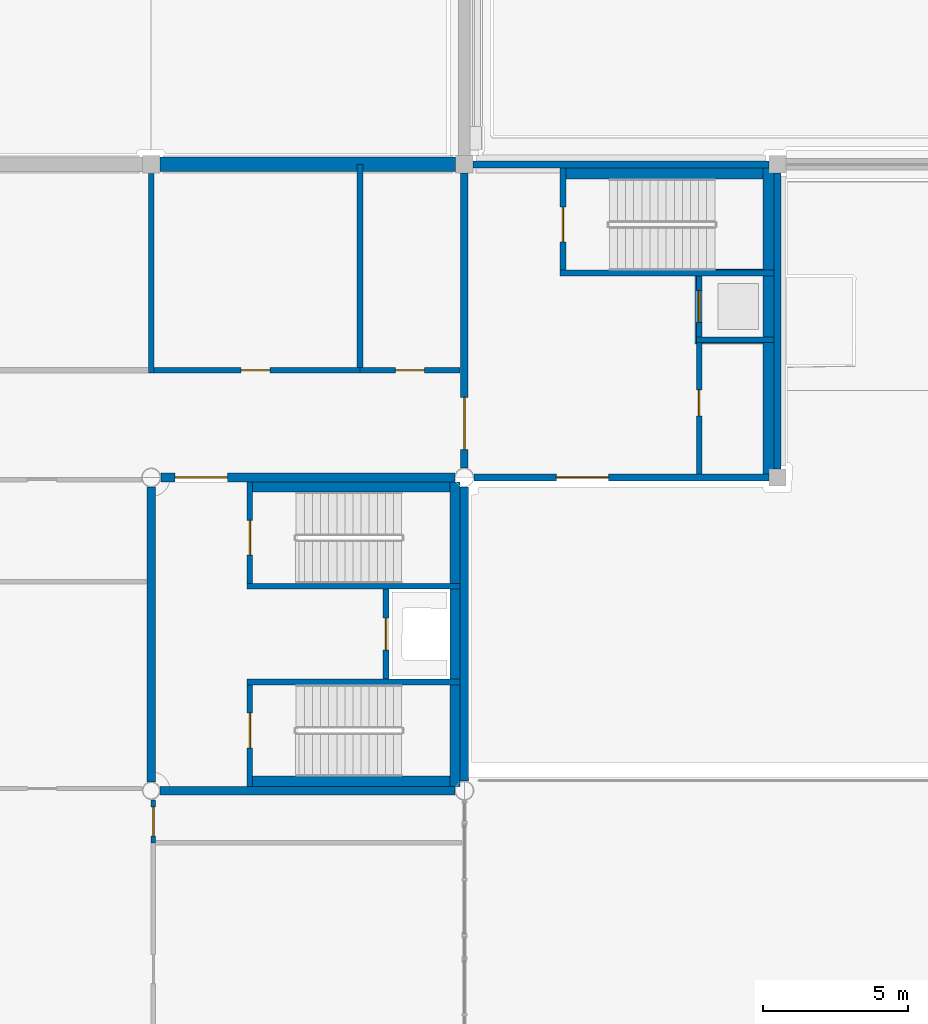
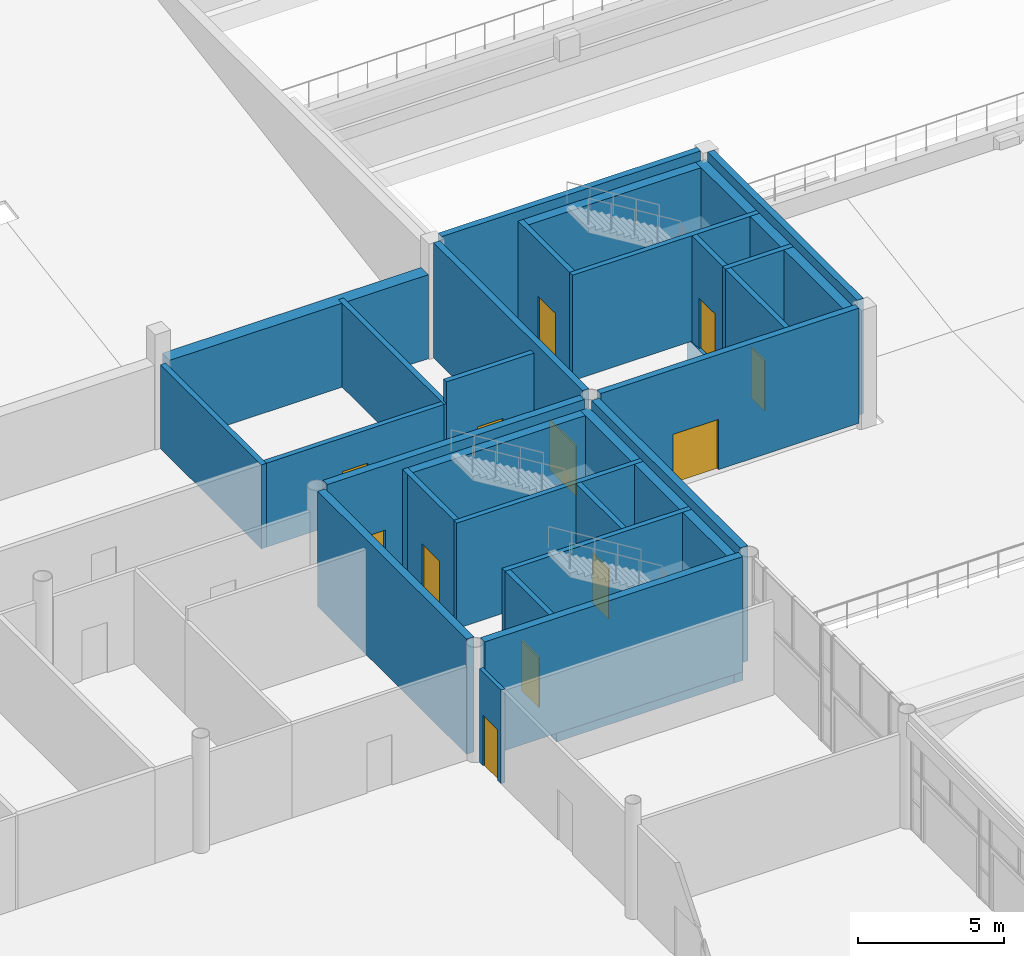
# One storey, part 52 of 91: 34 walls, 12 doors, 12 openings.
"""IFC4 building model written with IfcOpenShell, lengths in metres."""

from ifc_helpers import new_model, si_unit, direction, frame, frame_2d, origin, place, context, subcontext, project, spatial, polyline, rectangle, outline, extrude, material, layer, layer_set, type_object, element, fill, save


model = new_model("IFC4")

# Units and contexts
model_context = context("Model", 3, precision=1e-05, world=origin(), true_north=direction((0.0, 1.0)))
body_context = subcontext(model_context, "Body", "Model", "MODEL_VIEW")
ifc_project = project(units=[si_unit("LENGTHUNIT", "METRE"), si_unit("AREAUNIT", "SQUARE_METRE"), si_unit("VOLUMEUNIT", "CUBIC_METRE"), si_unit("PLANEANGLEUNIT", "RADIAN"), si_unit("MASSUNIT", "GRAM", prefix="KILO")], contexts=[model_context])

# Site, building, storey
site_placement = place(None, origin())
site = spatial("IfcSite", under=ifc_project, at=site_placement, CompositionType="ELEMENT")
building_placement = place(site_placement, origin())
building = spatial("IfcBuilding", under=site, at=building_placement, Name="Magnolia Steps Interchange", CompositionType="ELEMENT")
storey_placement = place(building_placement, origin())
storey = spatial("IfcBuildingStorey", under=building, at=storey_placement, Name="L00", CompositionType="ELEMENT", Elevation=0.0)

# Wall
ifc_material_1 = material(Name="Concrete C40", Category="concrete")
ifc_layer_1 = layer(ifc_material_1, 0.5)
ifc_layer_set_1 = layer_set([ifc_layer_1], Name="Concrete C40 plinth retaining wall 500")
wall_type_1 = type_object("IfcWallType", Name="Concrete C40 plinth retaining wall 500", PredefinedType="SOLIDWALL", material=ifc_layer_set_1)
wall_1_placement = place(storey_placement, frame((107.5, 96.39990234375, 0.0), z_axis=(0.0, 0.0, 1.0), x_axis=(1.0, 0.0, 0.0)))
element("IfcWall", 1, at=wall_1_placement, inside=storey, type_object=wall_type_1, Name="Service wing north retaining wall", PredefinedType="SOLIDWALL", context=body_context, shape_type="SweptSolid", body=[
    extrude(rectangle(XDim=10.199951171875, YDim=0.5, at=frame_2d((5.10009765625, 0.0))), origin(), (0.0, 0.0, 1.0), 3.5),
])

# Wall, opening, door
ifc_material_2 = material(Name="Concrete C35", Category="concrete")
ifc_layer_2 = layer(ifc_material_2, 0.199951171875)
ifc_layer_set_2 = layer_set([ifc_layer_2], Name="Core enclosure wall 200")
wall_type_2 = type_object("IfcWallType", Name="Core enclosure wall 200", PredefinedType="SOLIDWALL", material=ifc_layer_set_2)
wall_2_placement = place(storey_placement, frame((110.60009765625, 85.449951171875, 0.0), z_axis=(0.0, 0.0, 1.0), x_axis=(0.0, -1.0, 0.0)))
wall_2 = element("IfcWall", 2, at=wall_2_placement, inside=storey, type_object=wall_type_2, Name="L00 HC2 enclosure wall", PredefinedType="SOLIDWALL", context=body_context, shape_type="SweptSolid", body=[
    extrude(rectangle(XDim=3.5, YDim=0.199951171875, at=frame_2d((1.75, 0.0))), origin(), (0.0, 0.0, 1.0), 4.39990234375),
])
opening_1_placement = place(wall_2_placement, frame((1.324951171875, 0.0, 0.0)))
opening_1 = element("IfcOpeningElement", 3, at=opening_1_placement, cuts=wall_2, Name="Opening D-HC2-L00-1", PredefinedType="OPENING", context=body_context, shape_type="SweptSolid", body=[
    extrude(rectangle(XDim=1.199951171875, YDim=2.10009765625, at=frame_2d((0.60009765625, 1.050048828125))), frame((0.0, 0.10986328125, 0.0), z_axis=(0.0, -1.0, 0.0), x_axis=(1.0, 0.0, 0.0)), (0.0, 0.0, 1.0), 0.219970703125),
])
ifc_material_3 = material(Name="Painted steel", Category="steel")
door_type_1 = type_object("IfcDoorType", Name="Stair fire door 1200x2100", OperationType="NOTDEFINED", PredefinedType="DOOR", material=ifc_material_3)
door_1_placement = place(opening_1_placement, frame((1.199951171875, 0.0, 0.0), z_axis=(0.0, 0.0, 1.0), x_axis=(-1.0, 0.0, 0.0)))
door_1 = element("IfcDoor", 4, at=door_1_placement, inside=storey, type_object=door_type_1, Name="Stair door ST3 L00", OperationType="SINGLE_SWING_LEFT", OverallHeight=2.10009765625, OverallWidth=1.199951171875, PredefinedType="DOOR", context=body_context, shape_type="SweptSolid", body=[
    extrude(rectangle(XDim=1.199951171875, YDim=2.10009765625, at=frame_2d((0.60009765625, 1.050048828125))), frame((0.0, 0.02490234375, 0.0), z_axis=(0.0, -1.0, 0.0), x_axis=(1.0, 0.0, 0.0)), (0.0, 0.0, 1.0), 0.050048828125),
])
fill(opening_1, door_1)

# Wall
wall_3_placement = place(storey_placement, frame((110.5, 81.85009765625, 0.0), z_axis=(0.0, 0.0, 1.0), x_axis=(1.0, 0.0, 0.0)))
element("IfcWall", 5, at=wall_3_placement, inside=storey, type_object=wall_type_2, Name="L00 HC2 enclosure wall", PredefinedType="SOLIDWALL", context=body_context, shape_type="SweptSolid", body=[
    extrude(rectangle(XDim=7.35009765625, YDim=0.199951171875, at=frame_2d((3.675048828125, 0.0))), origin(), (0.0, 0.0, 1.0), 4.39990234375),
])

# Wall, opening, door
wall_4_placement = place(storey_placement, frame((115.300048828125, 81.75, 0.0), z_axis=(0.0, 0.0, 1.0), x_axis=(0.0, -1.0, 0.0)))
wall_4 = element("IfcWall", 6, at=wall_4_placement, inside=storey, type_object=wall_type_2, Name="L00 HC2 enclosure wall", PredefinedType="SOLIDWALL", context=body_context, shape_type="SweptSolid", body=[
    extrude(rectangle(XDim=3.10009765625, YDim=0.199951171875, at=frame_2d((1.550048828125, 0.0))), origin(), (0.0, 0.0, 1.0), 4.39990234375),
])
opening_2_placement = place(wall_4_placement, frame((1.0, 0.0, 0.0)))
opening_2 = element("IfcOpeningElement", 7, at=opening_2_placement, cuts=wall_4, Name="Opening LD", PredefinedType="OPENING", context=body_context, shape_type="SweptSolid", body=[
    extrude(rectangle(XDim=1.10009765625, YDim=2.10009765625, at=frame_2d((0.550048828125, 1.050048828125))), frame((0.0, 0.10986328125, 0.0), z_axis=(0.0, -1.0, 0.0), x_axis=(1.0, 0.0, 0.0)), (0.0, 0.0, 1.0), 0.219970703125),
])
ifc_material_4 = material(Name="Stainless steel grade 304", Category="steel")
door_type_2 = type_object("IfcDoorType", Name="Lift landing door 1100x2100", OperationType="DOUBLE_DOOR_SLIDING", PredefinedType="DOOR", material=ifc_material_4)
door_2_placement = place(opening_2_placement, frame((1.10009765625, 0.0, 0.0), z_axis=(0.0, 0.0, 1.0), x_axis=(-1.0, 0.0, 0.0)))
door_2 = element("IfcDoor", 8, at=door_2_placement, inside=storey, type_object=door_type_2, Name="Lift landing door LF2 L00", OperationType="DOUBLE_DOOR_SLIDING", OverallHeight=2.10009765625, OverallWidth=1.10009765625, PredefinedType="DOOR", context=body_context, shape_type="SweptSolid", body=[
    extrude(rectangle(XDim=1.10009765625, YDim=2.10009765625, at=frame_2d((0.550048828125, 1.050048828125))), frame((0.0, 0.02490234375, 0.0), z_axis=(0.0, -1.0, 0.0), x_axis=(1.0, 0.0, 0.0)), (0.0, 0.0, 1.0), 0.050048828125),
])
fill(opening_2, door_2)

# Wall
wall_5_placement = place(storey_placement, frame((110.5, 78.550048828125, 0.0), z_axis=(0.0, 0.0, 1.0), x_axis=(1.0, 0.0, 0.0)))
element("IfcWall", 9, at=wall_5_placement, inside=storey, type_object=wall_type_2, Name="L00 HC2 enclosure wall", PredefinedType="SOLIDWALL", context=body_context, shape_type="SweptSolid", body=[
    extrude(rectangle(XDim=7.35009765625, YDim=0.199951171875, at=frame_2d((3.675048828125, 0.0))), origin(), (0.0, 0.0, 1.0), 4.39990234375),
])

# Wall, opening, door
wall_6_placement = place(storey_placement, frame((110.60009765625, 78.449951171875, 0.0), z_axis=(0.0, 0.0, 1.0), x_axis=(0.0, -1.0, 0.0)))
wall_6 = element("IfcWall", 10, at=wall_6_placement, inside=storey, type_object=wall_type_2, Name="L00 HC2 enclosure wall", PredefinedType="SOLIDWALL", context=body_context, shape_type="SweptSolid", body=[
    extrude(rectangle(XDim=3.5, YDim=0.199951171875, at=frame_2d((1.75, 0.0))), origin(), (0.0, 0.0, 1.0), 4.39990234375),
])
opening_3_placement = place(wall_6_placement, frame((0.97509765625, 0.0, 0.0)))
opening_3 = element("IfcOpeningElement", 11, at=opening_3_placement, cuts=wall_6, Name="Opening D-HC2-L00-2", PredefinedType="OPENING", context=body_context, shape_type="SweptSolid", body=[
    extrude(rectangle(XDim=1.199951171875, YDim=2.10009765625, at=frame_2d((0.60009765625, 1.050048828125))), frame((0.0, 0.10986328125, 0.0), z_axis=(0.0, -1.0, 0.0), x_axis=(1.0, 0.0, 0.0)), (0.0, 0.0, 1.0), 0.219970703125),
])
door_3_placement = place(opening_3_placement, frame((1.199951171875, 0.0, 0.0), z_axis=(0.0, 0.0, 1.0), x_axis=(-1.0, 0.0, 0.0)))
door_3 = element("IfcDoor", 12, at=door_3_placement, inside=storey, type_object=door_type_1, Name="Stair door ST4 L00", OperationType="SINGLE_SWING_RIGHT", OverallHeight=2.10009765625, OverallWidth=1.199951171875, PredefinedType="DOOR", context=body_context, shape_type="SweptSolid", body=[
    extrude(rectangle(XDim=1.199951171875, YDim=2.10009765625, at=frame_2d((0.60009765625, 1.050048828125))), frame((0.0, 0.02490234375, 0.0), z_axis=(0.0, -1.0, 0.0), x_axis=(1.0, 0.0, 0.0)), (0.0, 0.0, 1.0), 0.050048828125),
])
fill(opening_3, door_3)

wall_7_placement = place(storey_placement, frame((121.39990234375, 96.27490234375, 0.0), z_axis=(0.0, 0.0, 1.0), x_axis=(0.0, -1.0, 0.0)))
wall_7 = element("IfcWall", 13, at=wall_7_placement, inside=storey, type_object=wall_type_2, Name="L00 WC-E enclosure wall", PredefinedType="SOLIDWALL", context=body_context, shape_type="SweptSolid", body=[
    extrude(rectangle(XDim=3.52490234375, YDim=0.199951171875, at=frame_2d((1.762451171875, 0.0))), origin(), (0.0, 0.0, 1.0), 4.39990234375),
])
opening_4_placement = place(wall_7_placement, frame((1.35009765625, 0.0, 0.0)))
opening_4 = element("IfcOpeningElement", 14, at=opening_4_placement, cuts=wall_7, Name="Opening D-WC-E-L00-1", PredefinedType="OPENING", context=body_context, shape_type="SweptSolid", body=[
    extrude(rectangle(XDim=1.199951171875, YDim=2.10009765625, at=frame_2d((0.60009765625, 1.050048828125))), frame((0.0, 0.10986328125, 0.0), z_axis=(0.0, -1.0, 0.0), x_axis=(1.0, 0.0, 0.0)), (0.0, 0.0, 1.0), 0.219970703125),
])
door_4_placement = place(opening_4_placement, frame((1.199951171875, 0.0, 0.0), z_axis=(0.0, 0.0, 1.0), x_axis=(-1.0, 0.0, 0.0)))
door_4 = element("IfcDoor", 15, at=door_4_placement, inside=storey, type_object=door_type_1, Name="Stair door ST27 L00", OperationType="SINGLE_SWING_LEFT", OverallHeight=2.10009765625, OverallWidth=1.199951171875, PredefinedType="DOOR", context=body_context, shape_type="SweptSolid", body=[
    extrude(rectangle(XDim=1.199951171875, YDim=2.10009765625, at=frame_2d((0.60009765625, 1.050048828125))), frame((0.0, 0.02490234375, 0.0), z_axis=(0.0, -1.0, 0.0), x_axis=(1.0, 0.0, 0.0)), (0.0, 0.0, 1.0), 0.050048828125),
])
fill(opening_4, door_4)

# Wall
wall_8_placement = place(storey_placement, frame((121.300048828125, 92.64990234375, 0.0), z_axis=(0.0, 0.0, 1.0), x_axis=(1.0, 0.0, 0.0)))
element("IfcWall", 16, at=wall_8_placement, inside=storey, type_object=wall_type_2, Name="L00 WC-E enclosure wall", PredefinedType="SOLIDWALL", context=body_context, shape_type="SweptSolid", body=[
    extrude(rectangle(XDim=7.375, YDim=0.199951171875, at=frame_2d((3.6875, 0.0))), origin(), (0.0, 0.0, 1.0), 4.39990234375),
])

# Wall, opening, door
wall_9_placement = place(storey_placement, frame((126.10009765625, 92.550048828125, 0.0), z_axis=(0.0, 0.0, 1.0), x_axis=(0.0, -1.0, 0.0)))
wall_9 = element("IfcWall", 17, at=wall_9_placement, inside=storey, type_object=wall_type_2, Name="L00 WC-E enclosure wall", PredefinedType="SOLIDWALL", context=body_context, shape_type="SweptSolid", body=[
    extrude(rectangle(XDim=2.10009765625, YDim=0.199951171875, at=frame_2d((1.050048828125, 0.0))), origin(), (0.0, 0.0, 1.0), 4.39990234375),
])
opening_5_placement = place(wall_9_placement, frame((0.5, 0.0, 0.0)))
opening_5 = element("IfcOpeningElement", 18, at=opening_5_placement, cuts=wall_9, Name="Opening LD", PredefinedType="OPENING", context=body_context, shape_type="SweptSolid", body=[
    extrude(rectangle(XDim=1.10009765625, YDim=2.10009765625, at=frame_2d((0.550048828125, 1.050048828125))), frame((0.0, 0.10986328125, 0.0), z_axis=(0.0, -1.0, 0.0), x_axis=(1.0, 0.0, 0.0)), (0.0, 0.0, 1.0), 0.219970703125),
])
door_5_placement = place(opening_5_placement, frame((1.10009765625, 0.0, 0.0), z_axis=(0.0, 0.0, 1.0), x_axis=(-1.0, 0.0, 0.0)))
door_5 = element("IfcDoor", 19, at=door_5_placement, inside=storey, type_object=door_type_2, Name="Lift landing door LF14 L00", OperationType="DOUBLE_DOOR_SLIDING", OverallHeight=2.10009765625, OverallWidth=1.10009765625, PredefinedType="DOOR", context=body_context, shape_type="SweptSolid", body=[
    extrude(rectangle(XDim=1.10009765625, YDim=2.10009765625, at=frame_2d((0.550048828125, 1.050048828125))), frame((0.0, 0.02490234375, 0.0), z_axis=(0.0, -1.0, 0.0), x_axis=(1.0, 0.0, 0.0)), (0.0, 0.0, 1.0), 0.050048828125),
])
fill(opening_5, door_5)

# Wall
wall_10_placement = place(storey_placement, frame((126.0, 90.35009765625, 0.0), z_axis=(0.0, 0.0, 1.0), x_axis=(1.0, 0.0, 0.0)))
element("IfcWall", 20, at=wall_10_placement, inside=storey, type_object=wall_type_2, Name="L00 WC-E enclosure wall", PredefinedType="SOLIDWALL", context=body_context, shape_type="SweptSolid", body=[
    extrude(rectangle(XDim=2.675048828125, YDim=0.199951171875, at=frame_2d((1.33740234375, 0.0))), origin(), (0.0, 0.0, 1.0), 4.39990234375),
])

# Wall, opening, door
wall_11_placement = place(storey_placement, frame((126.10009765625, 90.25, 0.0), z_axis=(0.0, 0.0, 1.0), x_axis=(0.0, -1.0, 0.0)))
wall_11 = element("IfcWall", 21, at=wall_11_placement, inside=storey, type_object=wall_type_2, Name="L00 WC-E enclosure wall", PredefinedType="SOLIDWALL", context=body_context, shape_type="SweptSolid", body=[
    extrude(rectangle(XDim=4.52490234375, YDim=0.199951171875, at=frame_2d((2.262451171875, 0.0))), origin(), (0.0, 0.0, 1.0), 4.39990234375),
])
opening_6_placement = place(wall_11_placement, frame((1.625, 0.0, 0.0)))
opening_6 = element("IfcOpeningElement", 22, at=opening_6_placement, cuts=wall_11, Name="Opening D-WC-E-L00-2", PredefinedType="OPENING", context=body_context, shape_type="SweptSolid", body=[
    extrude(rectangle(XDim=0.89990234375, YDim=2.10009765625, at=frame_2d((0.449951171875, 1.050048828125))), frame((0.0, 0.10986328125, 0.0), z_axis=(0.0, -1.0, 0.0), x_axis=(1.0, 0.0, 0.0)), (0.0, 0.0, 1.0), 0.219970703125),
])
ifc_material_5 = material(Name="Painted steel", Category="steel")
door_type_3 = type_object("IfcDoorType", Name="Riser door 900x2100", OperationType="NOTDEFINED", PredefinedType="DOOR", material=ifc_material_5)
door_6_placement = place(opening_6_placement, frame((0.89990234375, 0.0, 0.0), z_axis=(0.0, 0.0, 1.0), x_axis=(-1.0, 0.0, 0.0)))
door_6 = element("IfcDoor", 23, at=door_6_placement, inside=storey, type_object=door_type_3, Name="Riser door WC-E L00", OperationType="SINGLE_SWING_RIGHT", OverallHeight=2.10009765625, OverallWidth=0.89990234375, PredefinedType="DOOR", context=body_context, shape_type="SweptSolid", body=[
    extrude(rectangle(XDim=0.89990234375, YDim=2.10009765625, at=frame_2d((0.449951171875, 1.050048828125))), frame((0.0, 0.02490234375, 0.0), z_axis=(0.0, -1.0, 0.0), x_axis=(1.0, 0.0, 0.0)), (0.0, 0.0, 1.0), 0.050048828125),
])
fill(opening_6, door_6)

# Walls
ifc_material_6 = material(Name="Concrete C35", Category="concrete")
ifc_layer_3 = layer(ifc_material_6, 0.35009765625)
ifc_layer_set_3 = layer_set([ifc_layer_3], Name="Core lining wall 350")
wall_type_3 = type_object("IfcWallType", Name="Core lining wall 350", PredefinedType="SOLIDWALL", material=ifc_layer_set_3)
wall_12_placement = place(storey_placement, frame((110.5, 85.27490234375, -0.60009765625), z_axis=(0.0, 0.0, 1.0), x_axis=(1.0, 0.0, 0.0)))
element("IfcWall", 24, at=wall_12_placement, inside=storey, type_object=wall_type_3, Name="L00 HC2 stair lining wall", PredefinedType="SOLIDWALL", context=body_context, shape_type="SweptSolid", body=[
    extrude(rectangle(XDim=7.35009765625, YDim=0.35009765625, at=frame_2d((3.675048828125, 0.0))), origin(), (0.0, 0.0, 1.0), 5.0),
])
wall_13_placement = place(storey_placement, frame((117.675048828125, 85.449951171875, -0.60009765625), z_axis=(0.0, 0.0, 1.0), x_axis=(0.0, -1.0, 0.0)))
element("IfcWall", 25, at=wall_13_placement, inside=storey, type_object=wall_type_3, Name="L00 HC2 stair lining wall", PredefinedType="SOLIDWALL", context=body_context, shape_type="SweptSolid", body=[
    extrude(rectangle(XDim=3.5, YDim=0.35009765625, at=frame_2d((1.75, 0.0))), origin(), (0.0, 0.0, 1.0), 5.0),
])
wall_14_placement = place(storey_placement, frame((110.5, 75.125, -0.60009765625), z_axis=(0.0, 0.0, 1.0), x_axis=(1.0, 0.0, 0.0)))
element("IfcWall", 26, at=wall_14_placement, inside=storey, type_object=wall_type_3, Name="L00 HC2 stair lining wall", PredefinedType="SOLIDWALL", context=body_context, shape_type="SweptSolid", body=[
    extrude(rectangle(XDim=7.35009765625, YDim=0.35009765625, at=frame_2d((3.675048828125, 0.0))), origin(), (0.0, 0.0, 1.0), 5.0),
])
wall_15_placement = place(storey_placement, frame((117.675048828125, 78.449951171875, -0.60009765625), z_axis=(0.0, 0.0, 1.0), x_axis=(0.0, -1.0, 0.0)))
element("IfcWall", 27, at=wall_15_placement, inside=storey, type_object=wall_type_3, Name="L00 HC2 stair lining wall", PredefinedType="SOLIDWALL", context=body_context, shape_type="SweptSolid", body=[
    extrude(rectangle(XDim=3.5, YDim=0.35009765625, at=frame_2d((1.75, 0.0))), origin(), (0.0, 0.0, 1.0), 5.0),
])
wall_16_placement = place(storey_placement, frame((117.675048828125, 81.75, -0.60009765625), z_axis=(0.0, 0.0, 1.0), x_axis=(0.0, -1.0, 0.0)))
element("IfcWall", 28, at=wall_16_placement, inside=storey, type_object=wall_type_3, Name="L00 HC2 stair lining wall", PredefinedType="SOLIDWALL", context=body_context, shape_type="SweptSolid", body=[
    extrude(rectangle(XDim=3.10009765625, YDim=0.35009765625, at=frame_2d((1.550048828125, 0.0))), origin(), (0.0, 0.0, 1.0), 5.0),
])
ifc_material_7 = material(Name="Concrete C35", Category="concrete")
ifc_layer_4 = layer(ifc_material_7, 0.375)
ifc_layer_set_4 = layer_set([ifc_layer_4], Name="Core lining wall 375")
wall_type_4 = type_object("IfcWallType", Name="Core lining wall 375", PredefinedType="SOLIDWALL", material=ifc_layer_set_4)
wall_17_placement = place(storey_placement, frame((121.300048828125, 96.08740234375, 0.0), z_axis=(0.0, 0.0, 1.0), x_axis=(1.0, 0.0, 0.0)))
element("IfcWall", 29, at=wall_17_placement, inside=storey, type_object=wall_type_4, Name="L00 WC-E stair lining wall", PredefinedType="SOLIDWALL", context=body_context, shape_type="SweptSolid", body=[
    extrude(rectangle(XDim=7.375, YDim=0.375, at=frame_2d((3.6875, 0.0))), origin(), (0.0, 0.0, 1.0), 4.39990234375),
])
wall_18_placement = place(storey_placement, frame((128.487548828125, 96.27490234375, 0.0), z_axis=(0.0, 0.0, 1.0), x_axis=(0.0, -1.0, 0.0)))
element("IfcWall", 30, at=wall_18_placement, inside=storey, type_object=wall_type_4, Name="L00 WC-E stair lining wall", PredefinedType="SOLIDWALL", context=body_context, shape_type="SweptSolid", body=[
    extrude(rectangle(XDim=3.52490234375, YDim=0.375, at=frame_2d((1.762451171875, 0.0))), origin(), (0.0, 0.0, 1.0), 4.39990234375),
])
wall_19_placement = place(storey_placement, frame((128.487548828125, 92.550048828125, 0.0), z_axis=(0.0, 0.0, 1.0), x_axis=(0.0, -1.0, 0.0)))
element("IfcWall", 31, at=wall_19_placement, inside=storey, type_object=wall_type_4, Name="L00 WC-E stair lining wall", PredefinedType="SOLIDWALL", context=body_context, shape_type="SweptSolid", body=[
    extrude(rectangle(XDim=2.10009765625, YDim=0.375, at=frame_2d((1.050048828125, 0.0))), origin(), (0.0, 0.0, 1.0), 4.39990234375),
])
wall_20_placement = place(storey_placement, frame((128.487548828125, 90.25, 0.0), z_axis=(0.0, 0.0, 1.0), x_axis=(0.0, -1.0, 0.0)))
element("IfcWall", 32, at=wall_20_placement, inside=storey, type_object=wall_type_4, Name="L00 WC-E stair lining wall", PredefinedType="SOLIDWALL", context=body_context, shape_type="SweptSolid", body=[
    extrude(rectangle(XDim=4.52490234375, YDim=0.375, at=frame_2d((2.262451171875, 0.0))), origin(), (0.0, 0.0, 1.0), 4.39990234375),
])

# Wall, opening, door
ifc_material_8 = material(Name="Concrete C40", Category="concrete")
ifc_layer_5 = layer(ifc_material_8, 0.25)
ifc_layer_set_5 = layer_set([ifc_layer_5], Name="Core wall 250")
wall_type_5 = type_object("IfcWallType", Name="Core wall 250", PredefinedType="SOLIDWALL", material=ifc_layer_set_5)
wall_21_placement = place(storey_placement, frame((118.330078125, 85.60009765625, 0.0), z_axis=(0.0, 0.0, 1.0), x_axis=(1.0, 0.0, 0.0)))
wall_21 = element("IfcWall", 33, at=wall_21_placement, inside=storey, type_object=wall_type_5, Name="Core wall WC-E", PredefinedType="SOLIDWALL", context=body_context, shape_type="SweptSolid", body=[
    extrude(rectangle(XDim=10.169921875, YDim=0.25, at=frame_2d((5.0849609375, 0.0))), origin(), (0.0, 0.0, 1.0), 4.800048828125),
])
opening_7_placement = place(wall_21_placement, frame((2.844970703125, 0.0, 0.0)))
opening_7 = element("IfcOpeningElement", 34, at=opening_7_placement, cuts=wall_21, Name="Opening D-WC-E-L00-4", PredefinedType="OPENING", context=body_context, shape_type="SweptSolid", body=[
    extrude(rectangle(XDim=1.800048828125, YDim=2.10009765625, at=frame_2d((0.89990234375, 1.050048828125))), frame((0.0, 0.135009765625, 0.0), z_axis=(0.0, -1.0, 0.0), x_axis=(1.0, 0.0, 0.0)), (0.0, 0.0, 1.0), 0.27001953125),
])
ifc_material_9 = material(Name="Timber and glass", Category="wood")
door_type_4 = type_object("IfcDoorType", Name="Core entrance door pair 1800x2100", OperationType="DOUBLE_DOOR_DOUBLE_SWING", PredefinedType="DOOR", material=ifc_material_9)
door_7_placement = place(opening_7_placement, frame((1.800048828125, 0.0, 0.0), z_axis=(0.0, 0.0, 1.0), x_axis=(-1.0, 0.0, 0.0)))
door_7 = element("IfcDoor", 35, at=door_7_placement, inside=storey, type_object=door_type_4, Name="Core exit door WC-E L00", OperationType="DOUBLE_DOOR_DOUBLE_SWING", OverallHeight=2.10009765625, OverallWidth=1.800048828125, PredefinedType="DOOR", context=body_context, shape_type="SweptSolid", body=[
    extrude(rectangle(XDim=1.800048828125, YDim=2.10009765625, at=frame_2d((0.89990234375, 1.050048828125))), frame((0.0, 0.02490234375, 0.0), z_axis=(0.0, -1.0, 0.0), x_axis=(1.0, 0.0, 0.0)), (0.0, 0.0, 1.0), 0.050048828125),
])
fill(opening_7, door_7)

# Walls
wall_22_placement = place(storey_placement, frame((128.800048828125, 85.89990234375, 0.0), z_axis=(0.0, 0.0, 1.0), x_axis=(0.0, 1.0, 0.0)))
element("IfcWall", 36, at=wall_22_placement, inside=storey, type_object=wall_type_5, Name="Core wall WC-E", PredefinedType="SOLIDWALL", context=body_context, shape_type="SweptSolid", body=[
    extrude(rectangle(XDim=10.2001953125, YDim=0.25, at=frame_2d((5.10009765625, 0.0))), origin(), (0.0, 0.0, 1.0), 4.800048828125),
])
wall_23_placement = place(storey_placement, frame((128.5, 96.39990234375, 0.0), z_axis=(0.0, 0.0, 1.0), x_axis=(-1.0, 0.0, 0.0)))
element("IfcWall", 37, at=wall_23_placement, inside=storey, type_object=wall_type_5, Name="Core wall WC-E", PredefinedType="SOLIDWALL", context=body_context, shape_type="SweptSolid", body=[
    extrude(rectangle(XDim=10.199951171875, YDim=0.25, at=frame_2d((5.10009765625, 0.0))), origin(), (0.0, 0.0, 1.0), 4.800048828125),
])

# Wall, opening, door
wall_24_placement = place(storey_placement, frame((118.0, 96.10009765625, 0.0), z_axis=(0.0, 0.0, 1.0), x_axis=(0.0, -1.0, 0.0)))
wall_24 = element("IfcWall", 38, at=wall_24_placement, inside=storey, type_object=wall_type_5, Name="Core wall WC-E", PredefinedType="SOLIDWALL", context=body_context, shape_type="SweptSolid", body=[
    extrude(rectangle(XDim=10.170166015625, YDim=0.25, at=frame_2d((5.0849609375, 0.0))), origin(), (0.0, 0.0, 1.0), 4.800048828125),
])
opening_8_placement = place(wall_24_placement, frame((7.737060546875, 0.0, 0.0)))
opening_8 = element("IfcOpeningElement", 39, at=opening_8_placement, cuts=wall_24, Name="Opening D-WC-E-L00-3", PredefinedType="OPENING", context=body_context, shape_type="SweptSolid", body=[
    extrude(rectangle(XDim=1.800048828125, YDim=2.10009765625, at=frame_2d((0.89990234375, 1.050048828125))), frame((0.0, 0.135009765625, 0.0), z_axis=(0.0, -1.0, 0.0), x_axis=(1.0, 0.0, 0.0)), (0.0, 0.0, 1.0), 0.27001953125),
])
door_8_placement = place(opening_8_placement, frame((1.800048828125, 0.0, 0.0), z_axis=(0.0, 0.0, 1.0), x_axis=(-1.0, 0.0, 0.0)))
door_8 = element("IfcDoor", 40, at=door_8_placement, inside=storey, type_object=door_type_4, Name="Core entrance door WC-E L00", OperationType="DOUBLE_DOOR_DOUBLE_SWING", OverallHeight=2.10009765625, OverallWidth=1.800048828125, PredefinedType="DOOR", context=body_context, shape_type="SweptSolid", body=[
    extrude(rectangle(XDim=1.800048828125, YDim=2.10009765625, at=frame_2d((0.89990234375, 1.050048828125))), frame((0.0, 0.02490234375, 0.0), z_axis=(0.0, -1.0, 0.0), x_axis=(1.0, 0.0, 0.0)), (0.0, 0.0, 1.0), 0.050048828125),
])
fill(opening_8, door_8)

# Walls
ifc_material_10 = material(Name="Concrete C40", Category="concrete")
ifc_layer_6 = layer(ifc_material_10, 0.300048828125)
ifc_layer_set_6 = layer_set([ifc_layer_6], Name="Core wall 300")
wall_type_6 = type_object("IfcWallType", Name="Core wall 300", PredefinedType="SOLIDWALL", material=ifc_layer_set_6)
wall_25_placement = place(storey_placement, frame((107.5048828125, 74.800048828125, 0.0), z_axis=(0.0, 0.0, 1.0), x_axis=(1.0, 0.0, 0.0)))
element("IfcWall", 41, at=wall_25_placement, inside=storey, type_object=wall_type_6, Name="Core wall HC2", PredefinedType="SOLIDWALL", context=body_context, shape_type="SweptSolid", body=[
    extrude(rectangle(XDim=10.1650390625, YDim=0.300048828125, at=frame_2d((5.08251953125, 0.0))), origin(), (0.0, 0.0, 1.0), 4.800048828125),
])
wall_26_placement = place(storey_placement, frame((118.0, 75.1298828125, 0.0), z_axis=(0.0, 0.0, 1.0), x_axis=(0.0, 1.0, 0.0)))
element("IfcWall", 42, at=wall_26_placement, inside=storey, type_object=wall_type_6, Name="Core wall HC2", PredefinedType="SOLIDWALL", context=body_context, shape_type="SweptSolid", body=[
    extrude(rectangle(XDim=10.14013671875, YDim=0.300048828125, at=frame_2d((5.070068359375, 0.0))), origin(), (0.0, 0.0, 1.0), 4.800048828125),
])

# Wall, opening, door
wall_27_placement = place(storey_placement, frame((117.669921875, 85.60009765625, 0.0), z_axis=(0.0, 0.0, 1.0), x_axis=(-1.0, 0.0, 0.0)))
wall_27 = element("IfcWall", 43, at=wall_27_placement, inside=storey, type_object=wall_type_6, Name="Core wall HC2", PredefinedType="SOLIDWALL", context=body_context, shape_type="SweptSolid", body=[
    extrude(rectangle(XDim=10.139892578125, YDim=0.300048828125, at=frame_2d((5.06982421875, 0.0))), origin(), (0.0, 0.0, 1.0), 4.800048828125),
])
opening_9_placement = place(wall_27_placement, frame((7.844970703125, 0.0, 0.0)))
opening_9 = element("IfcOpeningElement", 44, at=opening_9_placement, cuts=wall_27, Name="Opening D-HC2-L00-3", PredefinedType="OPENING", context=body_context, shape_type="SweptSolid", body=[
    extrude(rectangle(XDim=1.800048828125, YDim=2.10009765625, at=frame_2d((0.89990234375, 1.050048828125))), frame((0.0, 0.159912109375, 0.0), z_axis=(0.0, -1.0, 0.0), x_axis=(1.0, 0.0, 0.0)), (0.0, 0.0, 1.0), 0.320068359375),
])
door_9_placement = place(opening_9_placement, frame((1.800048828125, 0.0, 0.0), z_axis=(0.0, 0.0, 1.0), x_axis=(-1.0, 0.0, 0.0)))
door_9 = element("IfcDoor", 45, at=door_9_placement, inside=storey, type_object=door_type_4, Name="Core entrance door HC2 L00", OperationType="DOUBLE_DOOR_DOUBLE_SWING", OverallHeight=2.10009765625, OverallWidth=1.800048828125, PredefinedType="DOOR", context=body_context, shape_type="SweptSolid", body=[
    extrude(rectangle(XDim=1.800048828125, YDim=2.10009765625, at=frame_2d((0.89990234375, 1.050048828125))), frame((0.0, 0.02490234375, 0.0), z_axis=(0.0, -1.0, 0.0), x_axis=(1.0, 0.0, 0.0)), (0.0, 0.0, 1.0), 0.050048828125),
])
fill(opening_9, door_9)

# Wall
wall_28_placement = place(storey_placement, frame((107.199951171875, 85.27001953125, 0.0), z_axis=(0.0, 0.0, 1.0), x_axis=(0.0, -1.0, 0.0)))
element("IfcWall", 46, at=wall_28_placement, inside=storey, type_object=wall_type_6, Name="Core wall HC2", PredefinedType="SOLIDWALL", context=body_context, shape_type="SweptSolid", body=[
    extrude(rectangle(XDim=10.1650390625, YDim=0.300048828125, at=frame_2d((5.08251953125, 0.0))), origin(), (0.0, 0.0, 1.0), 4.800048828125),
])

# Wall, opening, door
ifc_material_11 = material(Name="Fair-faced blockwork", Category="masonry")
ifc_layer_7 = layer(ifc_material_11, 0.199951171875)
ifc_layer_set_7 = layer_set([ifc_layer_7], Name="Fire partition wall 200")
wall_type_7 = type_object("IfcWallType", Name="Fire partition wall 200", PredefinedType="PARTITIONING", material=ifc_layer_set_7)
wall_29_placement = place(storey_placement, frame((114.39990234375, 89.300048828125, 0.0), z_axis=(0.0, 0.0, 1.0), x_axis=(1.0, 0.0, 0.0)))
wall_29 = element("IfcWall", 47, at=wall_29_placement, inside=storey, type_object=wall_type_7, Name="L00 partition 6", PredefinedType="PARTITIONING", context=body_context, shape_type="SweptSolid", body=[
    extrude(rectangle(XDim=3.445068359375, YDim=0.199951171875, at=frame_2d((1.72265625, 0.0))), origin(), (0.0, 0.0, 1.0), 4.39990234375),
])
opening_10_placement = place(wall_29_placement, frame((1.222412109375, 0.0, 0.0)))
opening_10 = element("IfcOpeningElement", 48, at=opening_10_placement, cuts=wall_29, Name="Opening D-L00-7", PredefinedType="OPENING", context=body_context, shape_type="SweptSolid", body=[
    extrude(rectangle(XDim=1.0, YDim=2.10009765625, at=frame_2d((0.5, 1.050048828125))), frame((0.0, 0.10986328125, 0.0), z_axis=(0.0, -1.0, 0.0), x_axis=(1.0, 0.0, 0.0)), (0.0, 0.0, 1.0), 0.219970703125),
])
ifc_material_12 = material(Name="Painted steel", Category="steel")
door_type_5 = type_object("IfcDoorType", Name="Plant room door 1000x2100", OperationType="NOTDEFINED", PredefinedType="DOOR", material=ifc_material_12)
door_10_placement = place(opening_10_placement, origin())
door_10 = element("IfcDoor", 49, at=door_10_placement, inside=storey, type_object=door_type_5, Name="Waste Store door", OperationType="SINGLE_SWING_LEFT", OverallHeight=2.10009765625, OverallWidth=1.0, PredefinedType="DOOR", context=body_context, shape_type="SweptSolid", body=[
    extrude(rectangle(XDim=1.0, YDim=2.10009765625, at=frame_2d((0.5, 1.050048828125))), frame((0.0, 0.02490234375, 0.0), z_axis=(0.0, -1.0, 0.0), x_axis=(1.0, 0.0, 0.0)), (0.0, 0.0, 1.0), 0.050048828125),
])
fill(opening_10, door_10)

wall_30_placement = place(storey_placement, frame((107.199951171875, 89.300048828125, 0.0), z_axis=(0.0, 0.0, 1.0), x_axis=(1.0, 0.0, 0.0)))
wall_30 = element("IfcWall", 50, at=wall_30_placement, inside=storey, type_object=wall_type_7, Name="L00 partition 12", PredefinedType="PARTITIONING", context=body_context, shape_type="SweptSolid", body=[
    extrude(rectangle(XDim=7.199951171875, YDim=0.199951171875, at=frame_2d((3.60009765625, 0.0))), origin(), (0.0, 0.0, 1.0), 3.5),
])
opening_11_placement = place(wall_30_placement, frame((3.10009765625, 0.0, 0.0)))
opening_11 = element("IfcOpeningElement", 51, at=opening_11_placement, cuts=wall_30, Name="Opening D-L00-6", PredefinedType="OPENING", context=body_context, shape_type="SweptSolid", body=[
    extrude(rectangle(XDim=1.0, YDim=2.10009765625, at=frame_2d((0.5, 1.050048828125))), frame((0.0, 0.10986328125, 0.0), z_axis=(0.0, -1.0, 0.0), x_axis=(1.0, 0.0, 0.0)), (0.0, 0.0, 1.0), 0.219970703125),
])
door_11_placement = place(opening_11_placement, origin())
door_11 = element("IfcDoor", 52, at=door_11_placement, inside=storey, type_object=door_type_5, Name="Cleaners' Store door", OperationType="SINGLE_SWING_RIGHT", OverallHeight=2.10009765625, OverallWidth=1.0, PredefinedType="DOOR", context=body_context, shape_type="SweptSolid", body=[
    extrude(rectangle(XDim=1.0, YDim=2.10009765625, at=frame_2d((0.5, 1.050048828125))), frame((0.0, 0.02490234375, 0.0), z_axis=(0.0, -1.0, 0.0), x_axis=(1.0, 0.0, 0.0)), (0.0, 0.0, 1.0), 0.050048828125),
])
fill(opening_11, door_11)

# Walls
wall_31_placement = place(storey_placement, frame((107.199951171875, 89.199951171875, 0.0), z_axis=(0.0, 0.0, 1.0), x_axis=(0.0, 1.0, 0.0)))
element("IfcWall", 53, at=wall_31_placement, inside=storey, type_object=wall_type_7, Name="L00 partition 18", PredefinedType="PARTITIONING", context=body_context, shape_type="SweptSolid", body=[
    extrude(rectangle(XDim=6.880126953125, YDim=0.199951171875, at=frame_2d((3.43994140625, 0.0))), origin(), (0.0, 0.0, 1.0), 3.5),
])
wall_32_placement = place(storey_placement, frame((114.39990234375, 89.199951171875, 0.0), z_axis=(0.0, 0.0, 1.0), x_axis=(0.0, 1.0, 0.0)))
element("IfcWall", 54, at=wall_32_placement, inside=storey, type_object=wall_type_7, Name="L00 partition 19", PredefinedType="PARTITIONING", context=body_context, shape_type="SweptSolid", body=[
    extrude(rectangle(XDim=7.199951171875, YDim=0.199951171875, at=frame_2d((3.60009765625, 0.0))), origin(), (0.0, 0.0, 1.0), 3.5),
])
ifc_material_13 = material(Name="Concrete C40", Category="concrete")
ifc_layer_8 = layer(ifc_material_13, 0.25)
ifc_layer_set_8 = layer_set([ifc_layer_8], Name="Lift pit wall 250")
wall_type_8 = type_object("IfcWallType", Name="Lift pit wall 250", PredefinedType="SOLIDWALL", material=ifc_layer_set_8)
wall_33_placement = place(storey_placement, frame((0.0, 0.0, -1.39990234375)))
element("IfcWall", 55, at=wall_33_placement, inside=storey, type_object=wall_type_8, Name="Lift pit wall WC-E", PredefinedType="SOLIDWALL", context=body_context, shape_type="SweptSolid", body=[
    extrude(outline(polyline([(125.949951171875, 92.800048828125), (125.949951171875, 90.199951171875), (128.550048828125, 90.199951171875), (128.550048828125, 92.800048828125), (125.949951171875, 92.800048828125)]), holes=[polyline([(126.199951171875, 90.449951171875), (128.300048828125, 90.449951171875), (128.300048828125, 92.550048828125), (126.199951171875, 92.550048828125), (126.199951171875, 90.449951171875)])]), origin(), (0.0, 0.0, 1.0), 1.39990234375),
])

# Wall, opening, door
ifc_material_14 = material(Name="Fair-faced blockwork", Category="masonry")
ifc_layer_9 = layer(ifc_material_14, 0.14990234375)
ifc_layer_set_9 = layer_set([ifc_layer_9], Name="Partition wall 150")
wall_type_9 = type_object("IfcWallType", Name="Partition wall 150", PredefinedType="PARTITIONING", material=ifc_layer_set_9)
wall_34_placement = place(storey_placement, frame((107.27490234375, 73.0, 0.0), z_axis=(0.0, 0.0, 1.0), x_axis=(0.0, 1.0, 0.0)))
wall_34 = element("IfcWall", 56, at=wall_34_placement, inside=storey, type_object=wall_type_9, Name="L00 partition 27", PredefinedType="PARTITIONING", context=body_context, shape_type="SweptSolid", body=[
    extrude(rectangle(XDim=1.484130859375, YDim=0.14990234375, at=frame_2d((0.7421875, 0.0))), origin(), (0.0, 0.0, 1.0), 3.89990234375),
])
opening_12_placement = place(wall_34_placement, frame((0.241943359375, 0.0, 0.0)))
opening_12 = element("IfcOpeningElement", 57, at=opening_12_placement, cuts=wall_34, Name="Opening D-L00-15", PredefinedType="OPENING", context=body_context, shape_type="SweptSolid", body=[
    extrude(rectangle(XDim=1.0, YDim=2.10009765625, at=frame_2d((0.5, 1.050048828125))), frame((0.0, 0.0849609375, 0.0), z_axis=(0.0, -1.0, 0.0), x_axis=(1.0, 0.0, 0.0)), (0.0, 0.0, 1.0), 0.169921875),
])
ifc_material_15 = material(Name="Timber", Category="wood")
door_type_6 = type_object("IfcDoorType", Name="Room door 1000x2100", OperationType="NOTDEFINED", PredefinedType="DOOR", material=ifc_material_15)
door_12_placement = place(opening_12_placement, frame((1.0, 0.0, 0.0), z_axis=(0.0, 0.0, 1.0), x_axis=(-1.0, 0.0, 0.0)))
door_12 = element("IfcDoor", 58, at=door_12_placement, inside=storey, type_object=door_type_6, Name="Newsagent Kiosk door", OperationType="SINGLE_SWING_RIGHT", OverallHeight=2.10009765625, OverallWidth=1.0, PredefinedType="DOOR", context=body_context, shape_type="SweptSolid", body=[
    extrude(rectangle(XDim=1.0, YDim=2.10009765625, at=frame_2d((0.5, 1.050048828125))), frame((0.0, 0.02490234375, 0.0), z_axis=(0.0, -1.0, 0.0), x_axis=(1.0, 0.0, 0.0)), (0.0, 0.0, 1.0), 0.050048828125),
])
fill(opening_12, door_12)

save(model, "model.ifc")
